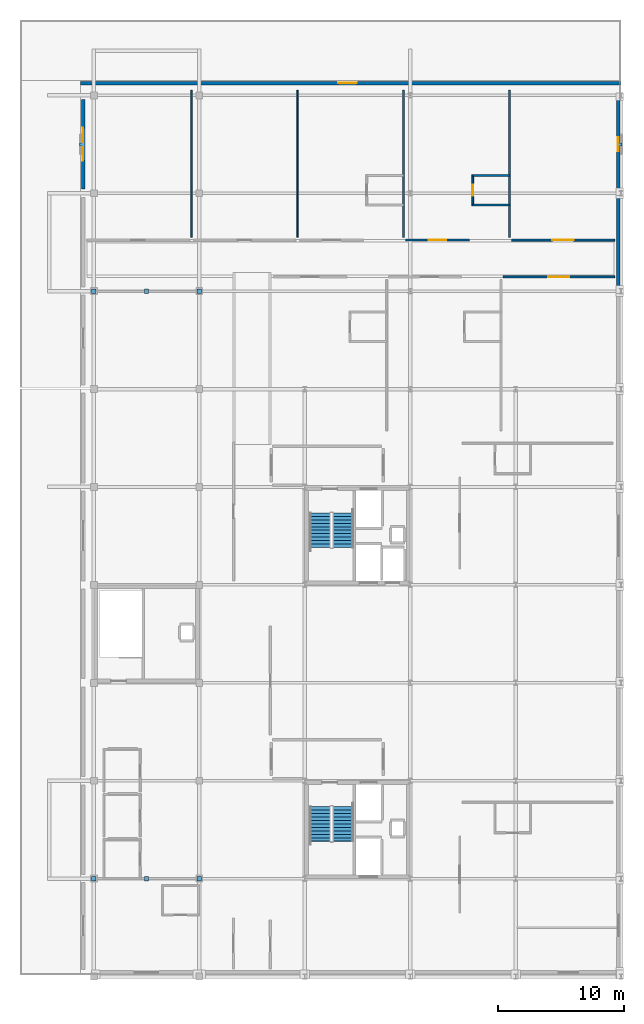
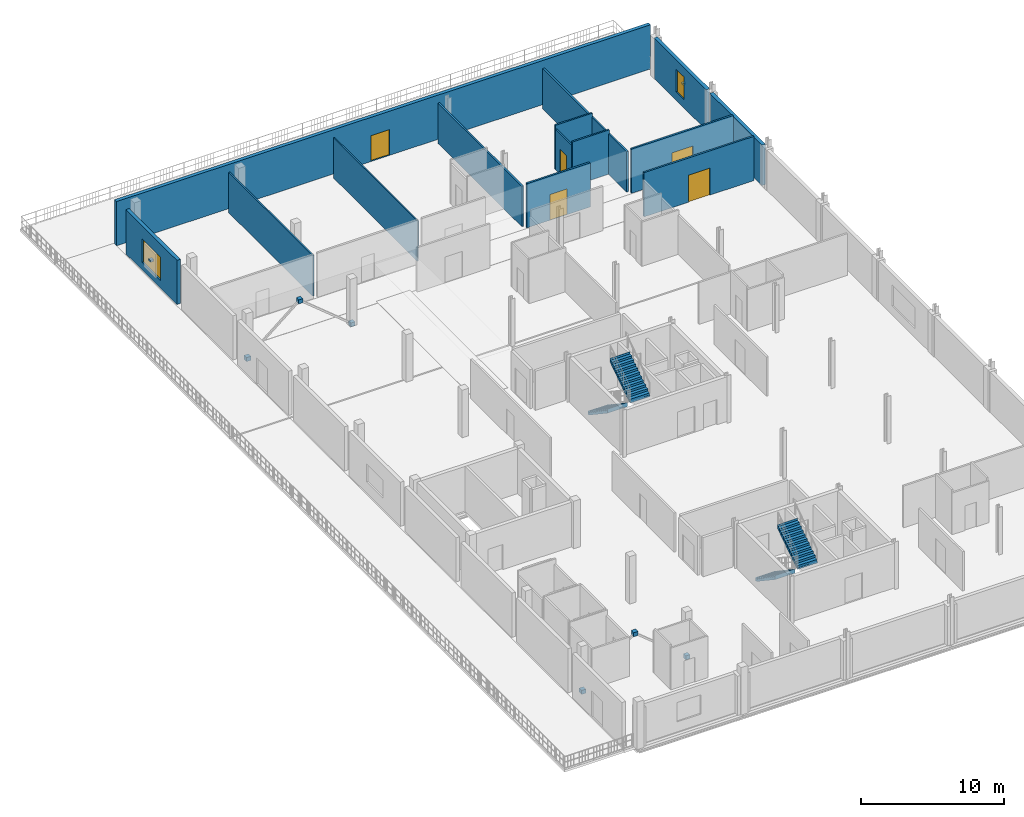
# One storey, part 10 of 16: 14 walls, 8 discrete accessories, 5 doors, 4 stair flights, 2 windows, 7 openings, 2 elements without a shape of their own.
"""IFC4 building model written with IfcOpenShell, lengths in metres."""

from ifc_helpers import new_model, si_unit, direction, frame, frame_2d, origin, origin_2d, place, context, subcontext, project, spatial, polyline, rectangle, outline, extrude, material, layer, layer_set, type_object, element, fill, aggregate, save


model = new_model("IFC4")

# Units and contexts
model_context = context("Model", 3, precision=1e-05, world=origin(), true_north=direction((0.0, 1.0)))
body_context = subcontext(model_context, "Body", "Model", "MODEL_VIEW")
ifc_project = project(units=[si_unit("LENGTHUNIT", "METRE"), si_unit("AREAUNIT", "SQUARE_METRE"), si_unit("VOLUMEUNIT", "CUBIC_METRE"), si_unit("PLANEANGLEUNIT", "RADIAN"), si_unit("MASSUNIT", "GRAM", prefix="KILO")], contexts=[model_context])

# Site, building, storey
site_placement = place(None, origin())
site = spatial("IfcSite", under=ifc_project, at=site_placement, CompositionType="ELEMENT")
building_placement = place(site_placement, origin())
building = spatial("IfcBuilding", under=site, at=building_placement, Name="Nabrawat Pavilion Hospital", CompositionType="ELEMENT")
storey_placement = place(building_placement, frame((0.0, 0.0, 31.050048828125)))
storey = spatial("IfcBuildingStorey", under=building, at=storey_placement, Name="L07", CompositionType="ELEMENT", Elevation=31.050048828125)

# Wall
ifc_material_1 = material(Name="Gypsum Plasterboard on Stud", Category="gypsum")
ifc_layer_1 = layer(ifc_material_1, 0.10009765625, Name="Gypsum Plasterboard on Stud")
ifc_layer_set_1 = layer_set([ifc_layer_1], Name="Gypsum Plasterboard on Stud")
wall_type_1 = type_object("IfcWallType", Name="Clean Utility Sub-Partition 100", PredefinedType="PARTITIONING", material=ifc_layer_set_1)
wall_1_placement = place(storey_placement, frame((167.427978515625, 97.885009765625, 0.0), z_axis=(0.0, 0.0, 1.0), x_axis=(0.0, 1.0, 0.0)))
element("IfcWall", 1, at=wall_1_placement, inside=storey, type_object=wall_type_1, Name="L07 Pulmonary Function and Respiratory Therapy Suite L07-05 Dividing Partition", PredefinedType="PARTITIONING", context=body_context, shape_type="SweptSolid", body=[
    extrude(rectangle(XDim=11.72509765625, YDim=0.10009765625, at=frame_2d((5.862548828125, 0.0))), origin(), (0.0, 0.0, 1.0), 3.43994140625),
])

# Wall, opening, door
ifc_material_2 = material(Name="Gypsum Fireboard on Steel Stud", Category="steel")
ifc_layer_2 = layer(ifc_material_2, 0.14990234375, Name="Gypsum Fireboard on Steel Stud")
ifc_layer_set_2 = layer_set([ifc_layer_2], Name="Gypsum Fireboard on Steel Stud")
wall_type_2 = type_object("IfcWallType", Name="Clinical Corridor Smoke-Barrier Wall 150", PredefinedType="PARTITIONING", material=ifc_layer_set_2)
wall_2_placement = place(storey_placement, frame((183.806640625, 94.735107421875, 0.0), z_axis=(0.0, 0.0, 1.0), x_axis=(1.0, 0.0, 0.0)))
wall_2 = element("IfcWall", 2, at=wall_2_placement, inside=storey, type_object=wall_type_2, Name="L07 Intensive Care Pod Respiratory High-Dependency L07-03 Front Partition", PredefinedType="PARTITIONING", context=body_context, shape_type="SweptSolid", body=[
    extrude(rectangle(XDim=8.873291015625, YDim=0.14990234375, at=frame_2d((4.4365234375, 0.0))), origin(), (0.0, 0.0, 1.0), 3.77001953125),
])
opening_1_placement = place(wall_2_placement, frame((3.586669921875, 0.0, 0.0)))
opening_1 = element("IfcOpeningElement", 3, at=opening_1_placement, cuts=wall_2, Name="Opening D-ICU", PredefinedType="OPENING", context=body_context, shape_type="SweptSolid", body=[
    extrude(rectangle(XDim=1.699951171875, YDim=2.300048828125, at=frame_2d((0.85009765625, 1.14990234375))), frame((0.0, 0.0849609375, 0.0), z_axis=(0.0, -1.0, 0.0), x_axis=(1.0, 0.0, 0.0)), (0.0, 0.0, 1.0), 0.169921875),
])
ifc_material_3 = material(Name="Stainless-Clad Acoustic Timber and Vision Glass", Category="wood")
door_type_1 = type_object("IfcDoorType", Name="Intensive Care Glazed Breakout Door 1700x2300", OperationType="DOUBLE_DOOR_SLIDING", PredefinedType="DOOR", material=ifc_material_3)
door_1_placement = place(opening_1_placement, origin())
door_1 = element("IfcDoor", 4, at=door_1_placement, inside=storey, type_object=door_type_1, Name="Intensive Care Pod Respiratory High-Dependency L07-03 Door", OperationType="DOUBLE_DOOR_SLIDING", OverallHeight=2.300048828125, OverallWidth=1.699951171875, PredefinedType="DOOR", context=body_context, shape_type="SweptSolid", body=[
    extrude(rectangle(XDim=1.699951171875, YDim=2.300048828125, at=frame_2d((0.85009765625, 1.14990234375))), frame((0.0, 0.02490234375, 0.0), z_axis=(0.0, -1.0, 0.0), x_axis=(1.0, 0.0, 0.0)), (0.0, 0.0, 1.0), 0.050048828125),
])
fill(opening_1, door_1)

wall_3_placement = place(storey_placement, frame((176.031982421875, 97.6650390625, 0.0), z_axis=(0.0, 0.0, 1.0), x_axis=(1.0, 0.0, 0.0)))
wall_3 = element("IfcWall", 5, at=wall_3_placement, inside=storey, type_object=wall_type_2, Name="L07 Inpatient Ward Infectious Isolation Bedroom L07-07 Front Partition", PredefinedType="PARTITIONING", context=body_context, shape_type="SweptSolid", body=[
    extrude(rectangle(XDim=5.114013671875, YDim=0.14990234375, at=frame_2d((2.55712890625, 0.0))), origin(), (0.0, 0.0, 1.0), 3.77001953125),
])
opening_2_placement = place(wall_3_placement, frame((1.85693359375, 0.0, 0.0)))
opening_2 = element("IfcOpeningElement", 6, at=opening_2_placement, cuts=wall_3, Name="Opening D-BED", PredefinedType="OPENING", context=body_context, shape_type="SweptSolid", body=[
    extrude(rectangle(XDim=1.39990234375, YDim=2.199951171875, at=frame_2d((0.699951171875, 1.10009765625))), frame((0.0, 0.0849609375, 0.0), z_axis=(0.0, -1.0, 0.0), x_axis=(1.0, 0.0, 0.0)), (0.0, 0.0, 1.0), 0.169921875),
])
door_type_2 = type_object("IfcDoorType", Name="D-BED Inpatient Ward Leaf-and-a-Half Door 1400x2200", OperationType="NOTDEFINED", PredefinedType="DOOR", material=ifc_material_3)
door_2_placement = place(opening_2_placement, origin())
door_2 = element("IfcDoor", 7, at=door_2_placement, inside=storey, type_object=door_type_2, Name="Inpatient Ward Infectious Isolation Bedroom L07-07 Door", OperationType="SINGLE_SWING_RIGHT", OverallHeight=2.199951171875, OverallWidth=1.39990234375, PredefinedType="DOOR", context=body_context, shape_type="SweptSolid", body=[
    extrude(rectangle(XDim=1.39990234375, YDim=2.199951171875, at=frame_2d((0.699951171875, 1.10009765625))), frame((0.0, 0.02490234375, 0.0), z_axis=(0.0, -1.0, 0.0), x_axis=(1.0, 0.0, 0.0)), (0.0, 0.0, 1.0), 0.050048828125),
])
fill(opening_2, door_2)

wall_4_placement = place(storey_placement, frame((184.47607421875, 97.6650390625, 0.0), z_axis=(0.0, 0.0, 1.0), x_axis=(1.0, 0.0, 0.0)))
wall_4 = element("IfcWall", 8, at=wall_4_placement, inside=storey, type_object=wall_type_2, Name="L07 Intensive Care Pod Respiratory High-Dependency L07-08 Front Partition", PredefinedType="PARTITIONING", context=body_context, shape_type="SweptSolid", body=[
    extrude(rectangle(XDim=8.203857421875, YDim=0.14990234375, at=frame_2d((4.10205078125, 0.0))), origin(), (0.0, 0.0, 1.0), 3.77001953125),
])
opening_3_placement = place(wall_4_placement, frame((3.251953125, 0.0, 0.0)))
opening_3 = element("IfcOpeningElement", 9, at=opening_3_placement, cuts=wall_4, Name="Opening D-ICU", PredefinedType="OPENING", context=body_context, shape_type="SweptSolid", body=[
    extrude(rectangle(XDim=1.699951171875, YDim=2.300048828125, at=frame_2d((0.85009765625, 1.14990234375))), frame((0.0, 0.0849609375, 0.0), z_axis=(0.0, -1.0, 0.0), x_axis=(1.0, 0.0, 0.0)), (0.0, 0.0, 1.0), 0.169921875),
])
door_3_placement = place(opening_3_placement, origin())
door_3 = element("IfcDoor", 10, at=door_3_placement, inside=storey, type_object=door_type_1, Name="Intensive Care Pod Respiratory High-Dependency L07-08 Door", OperationType="DOUBLE_DOOR_SLIDING", OverallHeight=2.300048828125, OverallWidth=1.699951171875, PredefinedType="DOOR", context=body_context, shape_type="SweptSolid", body=[
    extrude(rectangle(XDim=1.699951171875, YDim=2.300048828125, at=frame_2d((0.85009765625, 1.14990234375))), frame((0.0, 0.02490234375, 0.0), z_axis=(0.0, -1.0, 0.0), x_axis=(1.0, 0.0, 0.0)), (0.0, 0.0, 1.0), 0.050048828125),
])
fill(opening_3, door_3)

ifc_material_4 = material(Name="Cement Board on Steel Stud", Category="steel")
ifc_layer_3 = layer(ifc_material_4, 0.1298828125, Name="Cement Board on Steel Stud")
ifc_layer_set_3 = layer_set([ifc_layer_3], Name="Cement Board on Steel Stud")
wall_type_3 = type_object("IfcWallType", Name="En-Suite Moisture-Resistant Partition 130", PredefinedType="PARTITIONING", material=ifc_layer_set_3)
wall_5_placement = place(storey_placement, frame((181.385986328125, 100.530029296875, 0.0), z_axis=(0.0, 0.0, 1.0), x_axis=(0.0, 1.0, 0.0)))
wall_5 = element("IfcWall", 11, at=wall_5_placement, inside=storey, type_object=wall_type_3, Name="L07 En-Suite Bathroom WRD-INF-07 Front Partition", PredefinedType="PARTITIONING", context=body_context, shape_type="SweptSolid", body=[
    extrude(rectangle(XDim=2.219970703125, YDim=0.1298828125, at=frame_2d((1.10986328125, 0.0))), origin(), (0.0, 0.0, 1.0), 3.43994140625),
])
opening_4_placement = place(wall_5_placement, frame((0.659912109375, 0.0, 0.0)))
opening_4 = element("IfcOpeningElement", 12, at=opening_4_placement, cuts=wall_5, Name="Opening D-ENS-R", PredefinedType="OPENING", context=body_context, shape_type="SweptSolid", body=[
    extrude(rectangle(XDim=0.89990234375, YDim=2.10009765625, at=frame_2d((0.449951171875, 1.050048828125))), frame((0.0, 0.074951171875, 0.0), z_axis=(0.0, -1.0, 0.0), x_axis=(1.0, 0.0, 0.0)), (0.0, 0.0, 1.0), 0.14990234375),
])
door_type_3 = type_object("IfcDoorType", Name="En-Suite Bathroom Outward Door R 900x2100", OperationType="NOTDEFINED", PredefinedType="DOOR", material=ifc_material_3)
door_4_placement = place(opening_4_placement, origin())
door_4 = element("IfcDoor", 13, at=door_4_placement, inside=storey, type_object=door_type_3, Name="En-Suite Bathroom WRD-INF-07 Door", OperationType="SINGLE_SWING_LEFT", OverallHeight=2.10009765625, OverallWidth=0.89990234375, PredefinedType="DOOR", context=body_context, shape_type="SweptSolid", body=[
    extrude(rectangle(XDim=0.89990234375, YDim=2.10009765625, at=frame_2d((0.449951171875, 1.050048828125))), frame((0.0, 0.02490234375, 0.0), z_axis=(0.0, -1.0, 0.0), x_axis=(1.0, 0.0, 0.0)), (0.0, 0.0, 1.0), 0.050048828125),
])
fill(opening_4, door_4)

# Walls
for number, where, z_axis, x_axis, name in (
    (14, (181.321044921875, 100.465087890625, 0.0), (0.0, 0.0, 1.0), (1.0, 0.0, 0.0), "L07 En-Suite Bathroom WRD-INF-07 South Partition"),
    (15, (181.321044921875, 102.81494140625, 0.0), (0.0, 0.0, 1.0), (1.0, 0.0, 0.0), "L07 En-Suite Bathroom WRD-INF-07 North Partition"),
):
    element("IfcWall", number, at=place(storey_placement, frame(where, z_axis=z_axis, x_axis=x_axis)), inside=storey, type_object=wall_type_3, Name=name, PredefinedType="PARTITIONING", context=body_context, shape_type="SweptSolid", body=[
        extrude(rectangle(XDim=2.97998046875, YDim=0.1298828125, at=frame_2d((1.489990234375, 0.0))), origin(), (0.0, 0.0, 1.0), 3.77001953125),
    ])
ifc_material_5 = material(Name="Acoustic Gypsum on Steel Stud", Category="steel")
ifc_layer_4 = layer(ifc_material_5, 0.139892578125, Name="Acoustic Gypsum on Steel Stud")
ifc_layer_set_4 = layer_set([ifc_layer_4], Name="Acoustic Gypsum on Steel Stud")
wall_type_4 = type_object("IfcWallType", Name="Inpatient Ward Acoustic Partition 140", PredefinedType="PARTITIONING", material=ifc_layer_set_4)
for number, where, z_axis, x_axis, name in (
    (16, (175.8720703125, 97.885009765625, 0.0), (0.0, 0.0, 1.0), (0.0, 1.0, 0.0), "L07 Inpatient Ward Negative-Pressure Respiratory Suite L07-06 Dividing Partition"),
    (17, (184.31591796875, 97.885009765625, 0.0), (0.0, 0.0, 1.0), (0.0, 1.0, 0.0), "L07 Inpatient Ward Infectious Isolation Bedroom L07-07 Dividing Partition"),
):
    element("IfcWall", number, at=place(storey_placement, frame(where, z_axis=z_axis, x_axis=x_axis)), inside=storey, type_object=wall_type_4, Name=name, PredefinedType="PARTITIONING", context=body_context, shape_type="SweptSolid", body=[
        extrude(rectangle(XDim=11.72509765625, YDim=0.139892578125, at=frame_2d((5.862548828125, 0.0))), origin(), (0.0, 0.0, 1.0), 3.43994140625),
    ])

# Wall, opening, window
ifc_material_6 = material(Name="Precast concrete C40/50", Category="concrete")
ifc_layer_5 = layer(ifc_material_6, 0.280029296875, Name="Precast concrete C40/50")
ifc_layer_set_5 = layer_set([ifc_layer_5], Name="Precast concrete C40/50")
wall_type_5 = type_object("IfcWallType", Name="Insulated Precast Facade Wall 280", PredefinedType="SOLIDWALL", material=ifc_layer_set_5)
wall_6_placement = place(storey_placement, frame((150.340087890625, 101.72509765625, 0.0), z_axis=(0.0, 0.0, 1.0), x_axis=(0.0, 1.0, 0.0)))
wall_6 = element("IfcWall", 18, at=wall_6_placement, inside=storey, type_object=wall_type_5, Name="L07 Insulated Precast Facade Wall 280 424", PredefinedType="SOLIDWALL", context=body_context, shape_type="SweptSolid", body=[
    extrude(rectangle(XDim=7.14990234375, YDim=0.280029296875, at=frame_2d((3.574951171875, 0.0))), origin(), (0.0, 0.0, 1.0), 3.77001953125),
])
opening_5_placement = place(wall_6_placement, frame((2.27490234375, 0.0, 0.64990234375)))
opening_5 = element("IfcOpeningElement", 19, at=opening_5_placement, cuts=wall_6, Name="Opening WN-22", PredefinedType="OPENING", context=body_context, shape_type="SweptSolid", body=[
    extrude(rectangle(XDim=2.60009765625, YDim=2.0, at=frame_2d((1.300048828125, 1.0))), frame((0.0, 0.14990234375, 0.0), z_axis=(0.0, -1.0, 0.0), x_axis=(1.0, 0.0, 0.0)), (0.0, 0.0, 1.0), 0.300048828125),
])
ifc_material_7 = material(Name="Thermally Broken Aluminium and Solar Glass", Category="aluminium")
window_type_1 = type_object("IfcWindowType", Name="Rehabilitation Gym Tall Window 2600x2000", PartitioningType="SINGLE_PANEL", PredefinedType="WINDOW", material=ifc_material_7)
window_1_placement = place(opening_5_placement, origin())
window_1 = element("IfcWindow", 20, at=window_1_placement, inside=storey, type_object=window_type_1, Name="L07 Rehabilitation Gym Tall Window 2600x2000 150", OverallHeight=2.0, OverallWidth=2.60009765625, PartitioningType="SINGLE_PANEL", PredefinedType="WINDOW", context=body_context, shape_type="SweptSolid", body=[
    extrude(rectangle(XDim=2.60009765625, YDim=2.0, at=frame_2d((1.300048828125, 1.0))), frame((0.0, 0.030029296875, 0.0), z_axis=(0.0, -1.0, 0.0), x_axis=(1.0, 0.0, 0.0)), (0.0, 0.0, 1.0), 0.06005859375),
])
fill(opening_5, window_1)

# Wall, opening, door
wall_7_placement = place(storey_placement, frame((150.1201171875, 110.179931640625, 0.0), z_axis=(0.0, 0.0, 1.0), x_axis=(1.0, 0.0, 0.0)))
wall_7 = element("IfcWall", 21, at=wall_7_placement, inside=storey, type_object=wall_type_5, Name="L07 Insulated Precast Facade Wall 280 430", PredefinedType="SOLIDWALL", context=body_context, shape_type="SweptSolid", body=[
    extrude(rectangle(XDim=43.079833984375, YDim=0.280029296875, at=frame_2d((21.5400390625, 0.0))), origin(), (0.0, 0.0, 1.0), 3.77001953125),
])
opening_6_placement = place(wall_7_placement, frame((20.5400390625, 0.0, 0.0)))
opening_6 = element("IfcOpeningElement", 22, at=opening_6_placement, cuts=wall_7, Name="Opening ED-TER-150", PredefinedType="OPENING", context=body_context, shape_type="SweptSolid", body=[
    extrude(rectangle(XDim=1.5, YDim=2.199951171875, at=frame_2d((0.75, 1.10009765625))), frame((0.0, 0.14990234375, 0.0), z_axis=(0.0, -1.0, 0.0), x_axis=(1.0, 0.0, 0.0)), (0.0, 0.0, 1.0), 0.300048828125),
])
ifc_material_8 = material(Name="Powder-Coated Galvanised Steel and Safety Glass", Category="steel")
door_type_4 = type_object("IfcDoorType", Name="Clinical Recovery Terrace Double Door 1500x2200", OperationType="NOTDEFINED", PredefinedType="DOOR", material=ifc_material_8)
door_5_placement = place(opening_6_placement, origin())
door_5 = element("IfcDoor", 23, at=door_5_placement, inside=storey, type_object=door_type_4, Name="L07 Clinical Recovery Terrace Door T_L07_WARD_NORTH", OperationType="DOUBLE_DOOR_SINGLE_SWING", OverallHeight=2.199951171875, OverallWidth=1.5, PredefinedType="DOOR", context=body_context, shape_type="SweptSolid", body=[
    extrude(rectangle(XDim=1.5, YDim=2.199951171875, at=frame_2d((0.75, 1.10009765625))), frame((0.0, 0.02490234375, 0.0), z_axis=(0.0, -1.0, 0.0), x_axis=(1.0, 0.0, 0.0)), (0.0, 0.0, 1.0), 0.050048828125),
])
fill(opening_6, door_5)

# Wall
wall_8_placement = place(storey_placement, frame((192.97998046875, 93.85009765625, 0.0), z_axis=(0.0, 0.0, 1.0), x_axis=(0.0, 1.0, 0.0)))
element("IfcWall", 24, at=wall_8_placement, inside=storey, type_object=wall_type_5, Name="L07 Insulated Precast Facade Wall 280 438", PredefinedType="SOLIDWALL", context=body_context, shape_type="SweptSolid", body=[
    extrude(rectangle(XDim=7.2998046875, YDim=0.280029296875, at=frame_2d((3.64990234375, 0.0))), origin(), (0.0, 0.0, 1.0), 3.43994140625),
])

# Wall, opening, window
wall_9_placement = place(storey_placement, frame((192.97998046875, 101.64990234375, 0.0), z_axis=(0.0, 0.0, 1.0), x_axis=(0.0, 1.0, 0.0)))
wall_9 = element("IfcWall", 25, at=wall_9_placement, inside=storey, type_object=wall_type_5, Name="L07 Insulated Precast Facade Wall 280 439", PredefinedType="SOLIDWALL", context=body_context, shape_type="SweptSolid", body=[
    extrude(rectangle(XDim=7.300048828125, YDim=0.280029296875, at=frame_2d((3.64990234375, 0.0))), origin(), (0.0, 0.0, 1.0), 3.43994140625),
])
opening_7_placement = place(wall_9_placement, frame((3.074951171875, 0.0, 0.699951171875)))
opening_7 = element("IfcOpeningElement", 26, at=opening_7_placement, cuts=wall_9, Name="Opening WN-27", PredefinedType="OPENING", context=body_context, shape_type="SweptSolid", body=[
    extrude(rectangle(XDim=1.14990234375, YDim=1.949951171875, at=frame_2d((0.574951171875, 0.97509765625))), frame((0.0, 0.14990234375, 0.0), z_axis=(0.0, -1.0, 0.0), x_axis=(1.0, 0.0, 0.0)), (0.0, 0.0, 1.0), 0.300048828125),
])
window_type_2 = type_object("IfcWindowType", Name="Clinical Library Tall Window 1150x1950", PartitioningType="SINGLE_PANEL", PredefinedType="WINDOW", material=ifc_material_7)
window_2_placement = place(opening_7_placement, origin())
window_2 = element("IfcWindow", 27, at=window_2_placement, inside=storey, type_object=window_type_2, Name="L07 Clinical Library Tall Window 1150x1950 155", OverallHeight=1.949951171875, OverallWidth=1.14990234375, PartitioningType="SINGLE_PANEL", PredefinedType="WINDOW", context=body_context, shape_type="SweptSolid", body=[
    extrude(rectangle(XDim=1.14990234375, YDim=1.949951171875, at=frame_2d((0.574951171875, 0.97509765625))), frame((0.0, 0.030029296875, 0.0), z_axis=(0.0, -1.0, 0.0), x_axis=(1.0, 0.0, 0.0)), (0.0, 0.0, 1.0), 0.06005859375),
])
fill(opening_7, window_2)

# Wall
ifc_layer_6 = layer(ifc_material_1, 0.1201171875, Name="Gypsum Plasterboard on Stud")
ifc_layer_set_6 = layer_set([ifc_layer_6], Name="Gypsum Plasterboard on Stud")
wall_type_6 = type_object("IfcWallType", Name="Outpatient Consultation Partition 120", PredefinedType="PARTITIONING", material=ifc_layer_set_6)
wall_10_placement = place(storey_placement, frame((158.98388671875, 97.885009765625, 0.0), z_axis=(0.0, 0.0, 1.0), x_axis=(0.0, 1.0, 0.0)))
element("IfcWall", 28, at=wall_10_placement, inside=storey, type_object=wall_type_6, Name="L07 Isolation Ward Nurse Station L07-04 Dividing Partition", PredefinedType="PARTITIONING", context=body_context, shape_type="SweptSolid", body=[
    extrude(rectangle(XDim=11.72509765625, YDim=0.1201171875, at=frame_2d((5.862548828125, 0.0))), origin(), (0.0, 0.0, 1.0), 3.43994140625),
])

# Stair, stair flights
ifc_material_9 = material(Name="Concrete C35/45", Category="concrete")
stair_type = type_object("IfcStairType", Name="Ward Upper Dogleg Escape Stair Assembly", PredefinedType="HALF_TURN_STAIR", material=ifc_material_9)
stair_1_placement = place(storey_placement, origin())
stair_1 = element("IfcStair", 29, at=stair_1_placement, inside=storey, type_object=stair_type, Name="L07 Inpatient South Firefighting Core 5", PredefinedType="HALF_TURN_STAIR")
stair_flight_type = type_object("IfcStairFlightType", Name="Reinforced Concrete Escape Stair Flight 1600", PredefinedType="STRAIGHT", material=ifc_material_9)
stair_flight_1_placement = place(storey_placement, frame((169.25, 52.530029296875, 0.0), z_axis=(0.0, 0.0, 1.0), x_axis=(0.0, -1.0, 0.0)))
stair_flight_1 = element("IfcStairFlight", 30, at=stair_flight_1_placement, type_object=stair_flight_type, Name="ST-05 flight 1", NumberOfRisers=11, NumberOfTreads=10, PredefinedType="STRAIGHT", RiserHeight=0.184090909, TreadLength=0.275, context=body_context, shape_type="SweptSolid", body=[
    extrude(outline(polyline([(-0.008056640625, 0.0), (0.0, 0.0), (0.0, 0.18408203125), (0.27490234375, 0.18408203125), (0.27490234375, 0.3681640625), (0.550048828125, 0.3681640625), (0.550048828125, 0.55224609375), (0.824951171875, 0.55224609375), (0.824951171875, 0.736328125), (1.10009765625, 0.736328125), (1.10009765625, 0.92041015625), (1.375, 0.92041015625), (1.375, 1.1044921875), (1.64990234375, 1.1044921875), (1.64990234375, 1.28857421875), (1.925048828125, 1.28857421875), (1.925048828125, 1.47265625), (2.199951171875, 1.47265625), (2.199951171875, 1.65673828125), (2.47509765625, 1.65673828125), (2.47509765625, 1.8408203125), (2.75, 1.8408203125), (2.75, 2.02490234375), (2.758056640625, 2.02490234375), (2.758056640625, 1.875), (2.75, 1.660400390625), (0.26953125, 0.0), (-0.008056640625, -0.1201171875), (-0.008056640625, 0.0)])), frame((0.0, 0.800048828125, 0.0), z_axis=(0.0, -1.0, 0.0), x_axis=(1.0, 0.0, 0.0)), (0.0, 0.0, 1.0), 1.60009765625),
])
stair_flight_2_placement = place(storey_placement, frame((171.050048828125, 49.780029296875, 2.02490234375), z_axis=(0.0, 0.0, 1.0), x_axis=(0.0, 1.0, 0.0)))
stair_flight_2 = element("IfcStairFlight", 31, at=stair_flight_2_placement, type_object=stair_flight_type, Name="ST-05 flight 2", NumberOfRisers=11, NumberOfTreads=10, PredefinedType="STRAIGHT", RiserHeight=0.184090909, TreadLength=0.275, context=body_context, shape_type="SweptSolid", body=[
    extrude(outline(polyline([(-0.008056640625, 0.0), (0.0, 0.0), (0.0, 0.18408203125), (0.27490234375, 0.18408203125), (0.27490234375, 0.3681640625), (0.550048828125, 0.3681640625), (0.550048828125, 0.55224609375), (0.824951171875, 0.55224609375), (0.824951171875, 0.736328125), (1.10009765625, 0.736328125), (1.10009765625, 0.92041015625), (1.375, 0.92041015625), (1.375, 1.1044921875), (1.64990234375, 1.1044921875), (1.64990234375, 1.28857421875), (1.925048828125, 1.28857421875), (1.925048828125, 1.47265625), (2.199951171875, 1.47265625), (2.199951171875, 1.65673828125), (2.47509765625, 1.65673828125), (2.47509765625, 1.8408203125), (2.75, 1.8408203125), (2.75, 2.02490234375), (2.758056640625, 2.02490234375), (2.758056640625, 1.875), (2.75, 1.660400390625), (0.26953125, 0.0), (-0.008056640625, -0.1201171875), (-0.008056640625, 0.0)])), frame((0.0, 0.800048828125, 0.0), z_axis=(0.0, -1.0, 0.0), x_axis=(1.0, 0.0, 0.0)), (0.0, 0.0, 1.0), 1.60009765625),
])
aggregate(stair_1, [stair_flight_1, stair_flight_2])

stair_2_placement = place(storey_placement, origin())
stair_2 = element("IfcStair", 32, at=stair_2_placement, inside=storey, type_object=stair_type, Name="L07 Inpatient North Firefighting Core 6", PredefinedType="HALF_TURN_STAIR")
stair_flight_3_placement = place(storey_placement, frame((169.25, 75.929931640625, 0.0), z_axis=(0.0, 0.0, 1.0), x_axis=(0.0, -1.0, 0.0)))
stair_flight_3 = element("IfcStairFlight", 33, at=stair_flight_3_placement, type_object=stair_flight_type, Name="ST-06 flight 1", NumberOfRisers=11, NumberOfTreads=10, PredefinedType="STRAIGHT", RiserHeight=0.184090909, TreadLength=0.275, context=body_context, shape_type="SweptSolid", body=[
    extrude(outline(polyline([(-0.008056640625, 0.0), (0.0, 0.0), (0.0, 0.18408203125), (0.27490234375, 0.18408203125), (0.27490234375, 0.3681640625), (0.550048828125, 0.3681640625), (0.550048828125, 0.55224609375), (0.824951171875, 0.55224609375), (0.824951171875, 0.736328125), (1.10009765625, 0.736328125), (1.10009765625, 0.92041015625), (1.375, 0.92041015625), (1.375, 1.1044921875), (1.64990234375, 1.1044921875), (1.64990234375, 1.28857421875), (1.925048828125, 1.28857421875), (1.925048828125, 1.47265625), (2.199951171875, 1.47265625), (2.199951171875, 1.65673828125), (2.47509765625, 1.65673828125), (2.47509765625, 1.8408203125), (2.75, 1.8408203125), (2.75, 2.02490234375), (2.758056640625, 2.02490234375), (2.758056640625, 1.875), (2.75, 1.660400390625), (0.26953125, 0.0), (-0.008056640625, -0.1201171875), (-0.008056640625, 0.0)])), frame((0.0, 0.800048828125, 0.0), z_axis=(0.0, -1.0, 0.0), x_axis=(1.0, 0.0, 0.0)), (0.0, 0.0, 1.0), 1.60009765625),
])
stair_flight_4_placement = place(storey_placement, frame((171.050048828125, 73.179931640625, 2.02490234375), z_axis=(0.0, 0.0, 1.0), x_axis=(0.0, 1.0, 0.0)))
stair_flight_4 = element("IfcStairFlight", 34, at=stair_flight_4_placement, type_object=stair_flight_type, Name="ST-06 flight 2", NumberOfRisers=11, NumberOfTreads=10, PredefinedType="STRAIGHT", RiserHeight=0.184090909, TreadLength=0.275, context=body_context, shape_type="SweptSolid", body=[
    extrude(outline(polyline([(-0.008056640625, 0.0), (0.0, 0.0), (0.0, 0.18408203125), (0.27490234375, 0.18408203125), (0.27490234375, 0.3681640625), (0.550048828125, 0.3681640625), (0.550048828125, 0.55224609375), (0.824951171875, 0.55224609375), (0.824951171875, 0.736328125), (1.10009765625, 0.736328125), (1.10009765625, 0.92041015625), (1.375, 0.92041015625), (1.375, 1.1044921875), (1.64990234375, 1.1044921875), (1.64990234375, 1.28857421875), (1.925048828125, 1.28857421875), (1.925048828125, 1.47265625), (2.199951171875, 1.47265625), (2.199951171875, 1.65673828125), (2.47509765625, 1.65673828125), (2.47509765625, 1.8408203125), (2.75, 1.8408203125), (2.75, 2.02490234375), (2.758056640625, 2.02490234375), (2.758056640625, 1.875), (2.75, 1.660400390625), (0.26953125, 0.0), (-0.008056640625, -0.1201171875), (-0.008056640625, 0.0)])), frame((0.0, 0.800048828125, 0.0), z_axis=(0.0, -1.0, 0.0), x_axis=(1.0, 0.0, 0.0)), (0.0, 0.0, 1.0), 1.60009765625),
])
aggregate(stair_2, [stair_flight_3, stair_flight_4])

# Discrete accessories
ifc_material_10 = material(Name="Steel S355", Category="steel")
ifc_layer_7 = layer(ifc_material_10, 0.02001953125, Name="Steel S355")
ifc_layer_set_7 = layer_set([ifc_layer_7], Name="Steel S355")
discrete_accessory_type_1 = type_object("IfcDiscreteAccessoryType", Name="Brace and Strut Gusset End Bracket 20", PredefinedType="BRACKET", material=ifc_layer_set_7)
for number, where, z_axis, x_axis, name in (
    (35, (155.39990234375, 46.800048828125, 3.330078125), (0.0, 0.0, 1.0), (1.0, 0.0, 0.0), "L07 Brace and Strut Gusset End Connection 0090"),
    (36, (151.199951171875, 46.800048828125, -0.1201171875), (0.0, 0.0, 1.0), (1.0, 0.0, 0.0), "L07 Brace and Strut Gusset End Connection 0091"),
    (37, (159.60009765625, 46.800048828125, -0.1201171875), (0.0, 0.0, 1.0), (1.0, 0.0, 0.0), "L07 Brace and Strut Gusset End Connection 0092"),
    (38, (155.39990234375, 93.60009765625, 3.330078125), (0.0, 0.0, 1.0), (1.0, 0.0, 0.0), "L07 Brace and Strut Gusset End Connection 0117"),
    (39, (151.199951171875, 93.60009765625, -0.1201171875), (0.0, 0.0, 1.0), (1.0, 0.0, 0.0), "L07 Brace and Strut Gusset End Connection 0118"),
    (40, (159.60009765625, 93.60009765625, -0.1201171875), (0.0, 0.0, 1.0), (1.0, 0.0, 0.0), "L07 Brace and Strut Gusset End Connection 0119"),
):
    element("IfcDiscreteAccessory", number, at=place(storey_placement, frame(where, z_axis=z_axis, x_axis=x_axis)), inside=storey, type_object=discrete_accessory_type_1, Name=name, PredefinedType="BRACKET", context=body_context, shape_type="SweptSolid", body=[
        extrude(rectangle(XDim=0.340087890625, YDim=0.340087890625, at=origin_2d()), origin(), (0.0, 0.0, 1.0), 0.340087890625),
    ])
ifc_layer_8 = layer(ifc_material_10, 0.159912109375, Name="Steel S355")
ifc_layer_set_8 = layer_set([ifc_layer_8], Name="Steel S355")
discrete_accessory_type_2 = type_object("IfcDiscreteAccessoryType", Name="Facade Shading Support Steel Bracket", PredefinedType="BRACKET", material=ifc_layer_set_8)
for number, where, z_axis, x_axis, name in (
    (41, (150.195068359375, 105.300048828125, 1.56982421875), (0.0, 0.0, 1.0), (0.0, 1.0, 0.0), "L07 Facade Shading Bracket 020"),
    (42, (193.125, 105.300048828125, 1.59521484375), (0.0, 0.0, 1.0), (0.0, 1.0, 0.0), "L07 Facade Shading Bracket 021"),
):
    element("IfcDiscreteAccessory", number, at=place(storey_placement, frame(where, z_axis=z_axis, x_axis=x_axis)), inside=storey, type_object=discrete_accessory_type_2, Name=name, PredefinedType="BRACKET", context=body_context, shape_type="SweptSolid", body=[
        extrude(rectangle(XDim=0.239990234375, YDim=0.280029296875, at=origin_2d()), origin(), (0.0, 0.0, 1.0), 0.159912109375),
    ])

save(model, "model.ifc")
